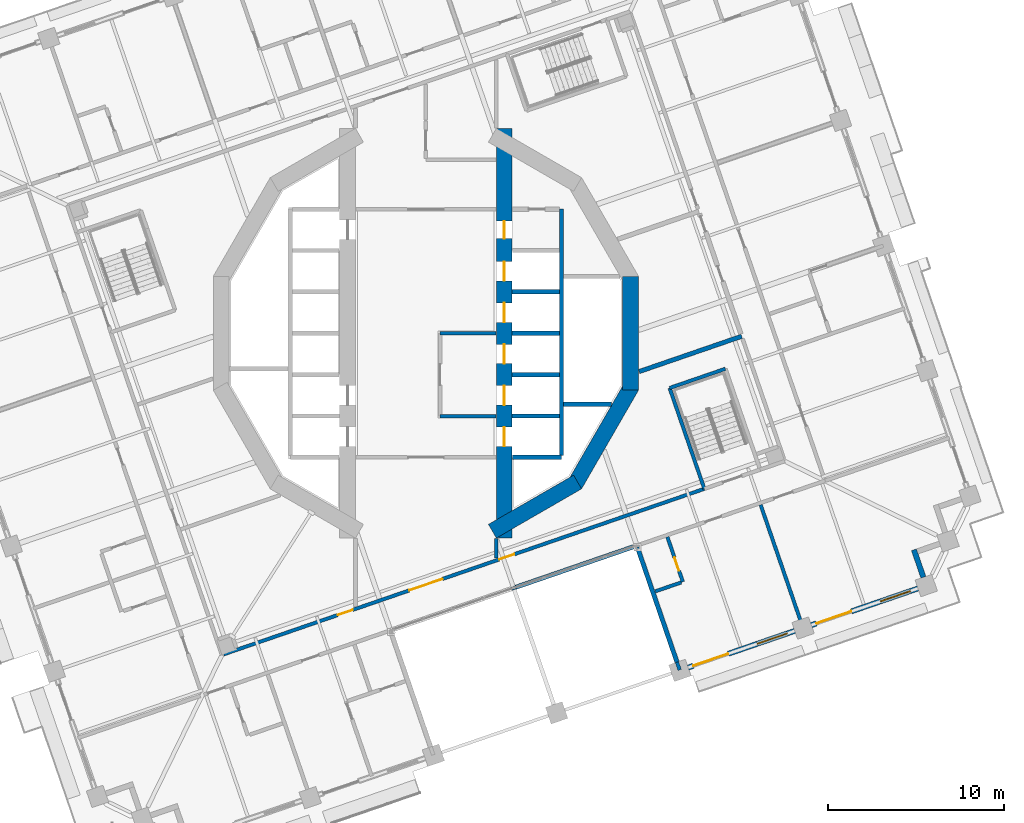
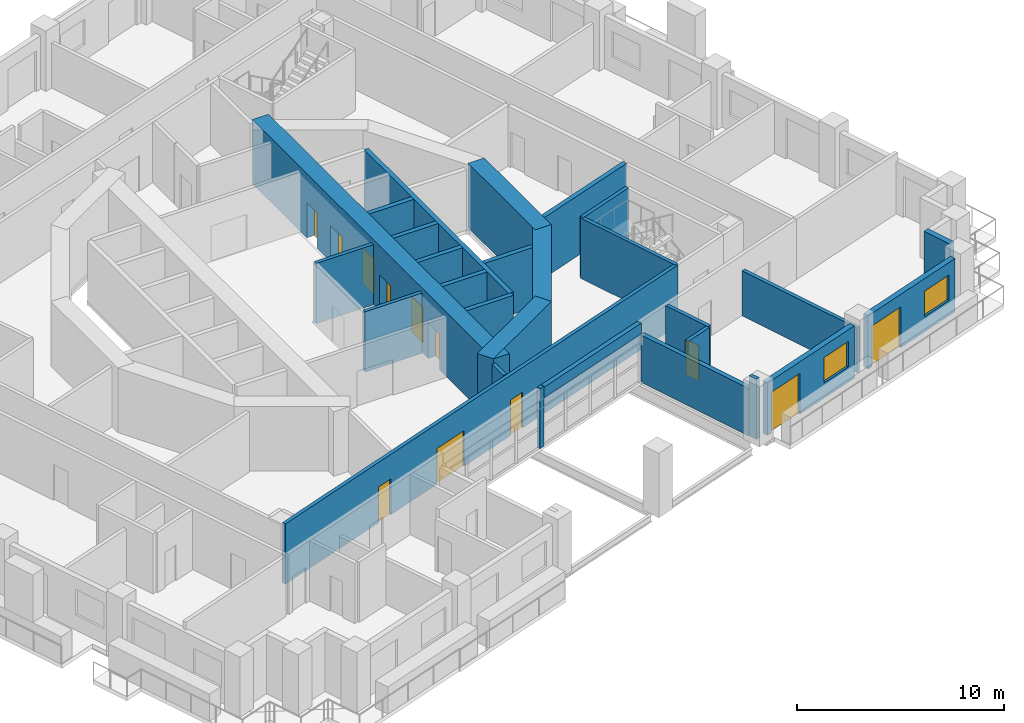
# One storey, part 10 of 22: 28 walls, 12 doors, 2 windows, 14 openings.
"""IFC4 building model written with IfcOpenShell, lengths in metres."""

from ifc_helpers import new_model, si_unit, direction, frame, frame_2d, origin, place, context, subcontext, project, spatial, rectangle, extrude, material, layer, layer_set, type_object, element, fill, save


model = new_model("IFC4")

# Units and contexts
model_context = context("Model", 3, precision=1e-05, world=origin(), true_north=direction((0.0, 1.0)))
body_context = subcontext(model_context, "Body", "Model", "MODEL_VIEW")
ifc_project = project(units=[si_unit("LENGTHUNIT", "METRE"), si_unit("AREAUNIT", "SQUARE_METRE"), si_unit("VOLUMEUNIT", "CUBIC_METRE"), si_unit("PLANEANGLEUNIT", "RADIAN"), si_unit("MASSUNIT", "GRAM", prefix="KILO")], contexts=[model_context])

# Site, building, storey
site_placement = place(None, origin())
site = spatial("IfcSite", under=ifc_project, at=site_placement, CompositionType="ELEMENT")
building_placement = place(site_placement, origin())
building = spatial("IfcBuilding", under=site, at=building_placement, Name="Cantera Rosa Tower", CompositionType="ELEMENT")
storey_placement = place(building_placement, frame((0.0, 0.0, 104.10009765625)))
storey = spatial("IfcBuildingStorey", under=building, at=storey_placement, Name="L20", CompositionType="ELEMENT", Elevation=104.10009765625)

# Wall
ifc_material_1 = material(Name="Gypsum board partition")
ifc_layer_1 = layer(ifc_material_1, 0.199951171875)
ifc_layer_set_1 = layer_set([ifc_layer_1], Name="CORRIDOR WALL 200 H3550")
wall_type_1 = type_object("IfcWallType", Name="CORRIDOR WALL 200 H3550", PredefinedType="PARTITIONING", material=ifc_layer_set_1)
wall_1_placement = place(storey_placement, frame((4.8544921875, -14.510009765625, 0.0), z_axis=(0.0, 0.0, 1.0), x_axis=(0.945634074283, 0.325232528438, 0.0)))
element("IfcWall", 1, at=wall_1_placement, inside=storey, type_object=wall_type_1, Name="CORRIDOR WALL L20-021", PredefinedType="PARTITIONING", context=body_context, shape_type="SweptSolid", body=[
    extrude(rectangle(XDim=0.26806640625, YDim=0.199951171875, at=frame_2d((0.134033203125, 0.0))), origin(), (0.0, 0.0, 1.0), 3.5498046875),
])

# Wall, openings, doors
wall_2_placement = place(storey_placement, frame((-11.489501953125, -18.23388671875, 0.0), z_axis=(0.0, 0.0, 1.0), x_axis=(0.945519622926, 0.325565112782, 0.0)))
wall_2 = element("IfcWall", 2, at=wall_2_placement, inside=storey, type_object=wall_type_1, Name="CORRIDOR WALL L20-025", PredefinedType="PARTITIONING", context=body_context, shape_type="SweptSolid", body=[
    extrude(rectangle(XDim=28.873291015625, YDim=0.199951171875, at=frame_2d((14.4365234375, 0.0))), origin(), (0.0, 0.0, 1.0), 3.5498046875),
])
opening_1_placement = place(wall_2_placement, frame((6.850830078125, 0.0, 0.0)))
opening_1 = element("IfcOpeningElement", 3, at=opening_1_placement, cuts=wall_2, Name="Opening L20-007", PredefinedType="OPENING", context=body_context, shape_type="SweptSolid", body=[
    extrude(rectangle(XDim=0.89990234375, YDim=2.10009765625, at=frame_2d((0.449951171875, 1.050048828125))), frame((0.0, 0.10986328125, 0.0), z_axis=(0.0, -1.0, 0.0), x_axis=(1.0, 0.0, 0.0)), (0.0, 0.0, 1.0), 0.219970703125),
])
opening_2_placement = place(wall_2_placement, frame((16.556640625, 0.0, 0.0)))
opening_2 = element("IfcOpeningElement", 4, at=opening_2_placement, cuts=wall_2, Name="Opening L20-008", PredefinedType="OPENING", context=body_context, shape_type="SweptSolid", body=[
    extrude(rectangle(XDim=0.89990234375, YDim=2.10009765625, at=frame_2d((0.449951171875, 1.050048828125))), frame((0.0, 0.10986328125, 0.0), z_axis=(0.0, -1.0, 0.0), x_axis=(1.0, 0.0, 0.0)), (0.0, 0.0, 1.0), 0.219970703125),
])
opening_3_placement = place(wall_2_placement, frame((11.151611328125, 0.0, 0.0)))
opening_3 = element("IfcOpeningElement", 5, at=opening_3_placement, cuts=wall_2, Name="Opening L20-012", PredefinedType="OPENING", context=body_context, shape_type="SweptSolid", body=[
    extrude(rectangle(XDim=2.0, YDim=2.10009765625, at=frame_2d((1.0, 1.050048828125))), frame((0.0, 0.10986328125, 0.0), z_axis=(0.0, -1.0, 0.0), x_axis=(1.0, 0.0, 0.0)), (0.0, 0.0, 1.0), 0.219970703125),
])
ifc_material_2 = material(Name="Steel S355J2 (EN 10025-2)", Category="steel")
door_type_1 = type_object("IfcDoorType", Name="LOBBY SCREEN DOOR 2000x2100", OperationType="NOTDEFINED", PredefinedType="DOOR", material=ifc_material_2)
door_1_placement = place(opening_3_placement, origin())
door_1 = element("IfcDoor", 6, at=door_1_placement, inside=storey, type_object=door_type_1, Name="DOOR L20-012", OperationType="NOTDEFINED", OverallHeight=2.10009765625, OverallWidth=2.0, PredefinedType="DOOR", context=body_context, shape_type="SweptSolid", body=[
    extrude(rectangle(XDim=2.0, YDim=2.10009765625, at=frame_2d((1.0, 1.050048828125))), frame((0.0, 0.02490234375, 0.0), z_axis=(0.0, -1.0, 0.0), x_axis=(1.0, 0.0, 0.0)), (0.0, 0.0, 1.0), 0.050048828125),
])
fill(opening_3, door_1)
ifc_material_3 = material(Name="Timber door leaf", Category="wood")
door_type_2 = type_object("IfcDoorType", Name="SERVICE DOOR 900x2100", OperationType="NOTDEFINED", PredefinedType="DOOR", material=ifc_material_3)
door_2_placement = place(opening_1_placement, origin())
door_2 = element("IfcDoor", 7, at=door_2_placement, inside=storey, type_object=door_type_2, Name="DOOR L20-007", OperationType="NOTDEFINED", OverallHeight=2.10009765625, OverallWidth=0.89990234375, PredefinedType="DOOR", context=body_context, shape_type="SweptSolid", body=[
    extrude(rectangle(XDim=0.89990234375, YDim=2.10009765625, at=frame_2d((0.449951171875, 1.050048828125))), frame((0.0, 0.02490234375, 0.0), z_axis=(0.0, -1.0, 0.0), x_axis=(1.0, 0.0, 0.0)), (0.0, 0.0, 1.0), 0.050048828125),
])
fill(opening_1, door_2)
door_3_placement = place(opening_2_placement, origin())
door_3 = element("IfcDoor", 8, at=door_3_placement, inside=storey, type_object=door_type_2, Name="DOOR L20-008", OperationType="NOTDEFINED", OverallHeight=2.10009765625, OverallWidth=0.89990234375, PredefinedType="DOOR", context=body_context, shape_type="SweptSolid", body=[
    extrude(rectangle(XDim=0.89990234375, YDim=2.10009765625, at=frame_2d((0.449951171875, 1.050048828125))), frame((0.0, 0.02490234375, 0.0), z_axis=(0.0, -1.0, 0.0), x_axis=(1.0, 0.0, 0.0)), (0.0, 0.0, 1.0), 0.050048828125),
])
fill(opening_2, door_3)

# Walls
wall_3_placement = place(storey_placement, frame((4.0, -12.760498046875, 0.0), z_axis=(0.0, 0.0, 1.0), x_axis=(0.0, 1.0, 0.0)))
element("IfcWall", 9, at=wall_3_placement, inside=storey, type_object=wall_type_1, Name="CORRIDOR WALL L20-062", PredefinedType="PARTITIONING", context=body_context, shape_type="SweptSolid", body=[
    extrude(rectangle(XDim=1.09326171875, YDim=0.199951171875, at=frame_2d((0.546630859375, 0.0))), origin(), (0.0, 0.0, 1.0), 3.5498046875),
])
ifc_material_4 = material(Name="Hollow clay masonry with cantera stone cladding", Category="masonry")
ifc_layer_2 = layer(ifc_material_4, 0.300048828125)
ifc_layer_set_2 = layer_set([ifc_layer_2], Name="EW-LOGGIA 300")
wall_type_2 = type_object("IfcWallType", Name="EW-LOGGIA 300", PredefinedType="SOLIDWALL", material=ifc_layer_set_2)
wall_4_placement = place(storey_placement, frame((28.250732421875, -13.857421875, 0.0), z_axis=(0.0, 0.0, 1.0), x_axis=(-0.325666906351, 0.945484566827, 0.0)))
element("IfcWall", 10, at=wall_4_placement, inside=storey, type_object=wall_type_2, Name="EN-L20-W29a", PredefinedType="SOLIDWALL", context=body_context, shape_type="SweptSolid", body=[
    extrude(rectangle(XDim=1.64990234375, YDim=0.300048828125, at=frame_2d((0.824951171875, 0.0))), origin(), (0.0, 0.0, 1.0), 3.5),
])

# Wall, openings, window, door
ifc_material_5 = material(Name="Hollow clay masonry with cantera stone cladding", Category="masonry")
ifc_layer_3 = layer(ifc_material_5, 0.300048828125)
ifc_layer_set_3 = layer_set([ifc_layer_3], Name="EW-LOGGIA 300 H3090")
wall_type_3 = type_object("IfcWallType", Name="EW-LOGGIA 300 H3090", PredefinedType="SOLIDWALL", material=ifc_layer_set_3)
wall_5_placement = place(storey_placement, frame((14.892578125, -18.98583984375, 0.0), z_axis=(0.0, 0.0, 1.0), x_axis=(0.945512753621, 0.325585062219, 0.0)))
wall_5 = element("IfcWall", 11, at=wall_5_placement, inside=storey, type_object=wall_type_3, Name="EN-L20-W27", PredefinedType="SOLIDWALL", context=body_context, shape_type="SweptSolid", body=[
    extrude(rectangle(XDim=6.39990234375, YDim=0.300048828125, at=frame_2d((3.199951171875, 0.0))), origin(), (0.0, 0.0, 1.0), 3.08984375),
])
opening_4_placement = place(wall_5_placement, frame((0.300048828125, 0.0, 0.0)))
opening_4 = element("IfcOpeningElement", 12, at=opening_4_placement, cuts=wall_5, Name="Opening L20-TD37", PredefinedType="OPENING", context=body_context, shape_type="SweptSolid", body=[
    extrude(rectangle(XDim=2.10009765625, YDim=2.39990234375, at=frame_2d((1.050048828125, 1.199951171875))), frame((0.0, 0.159912109375, 0.0), z_axis=(0.0, -1.0, 0.0), x_axis=(1.0, 0.0, 0.0)), (0.0, 0.0, 1.0), 0.320068359375),
])
opening_5_placement = place(wall_5_placement, frame((4.14990234375, 0.0, 0.89990234375)))
opening_5 = element("IfcOpeningElement", 13, at=opening_5_placement, cuts=wall_5, Name="Opening L20-W38", PredefinedType="OPENING", context=body_context, shape_type="SweptSolid", body=[
    extrude(rectangle(XDim=1.800048828125, YDim=1.5, at=frame_2d((0.89990234375, 0.75))), frame((0.0, 0.159912109375, 0.0), z_axis=(0.0, -1.0, 0.0), x_axis=(1.0, 0.0, 0.0)), (0.0, 0.0, 1.0), 0.320068359375),
])
ifc_material_6 = material(Name="Aluminium frame with clear glass", Category="aluminium")
window_type = type_object("IfcWindowType", Name="Hotel room window 1800x1500", PartitioningType="DOUBLE_PANEL_VERTICAL", PredefinedType="WINDOW", material=ifc_material_6)
window_1_placement = place(opening_5_placement, origin())
window_1 = element("IfcWindow", 14, at=window_1_placement, inside=storey, type_object=window_type, Name="WINDOW L20-W38", OverallHeight=1.5, OverallWidth=1.800048828125, PartitioningType="SINGLE_PANEL", PredefinedType="WINDOW", context=body_context, shape_type="SweptSolid", body=[
    extrude(rectangle(XDim=1.800048828125, YDim=1.5, at=frame_2d((0.89990234375, 0.75))), frame((0.0, 0.030029296875, 0.0), z_axis=(0.0, -1.0, 0.0), x_axis=(1.0, 0.0, 0.0)), (0.0, 0.0, 1.0), 0.06005859375),
])
fill(opening_5, window_1)
ifc_material_7 = material(Name="Aluminium frame with clear glass", Category="aluminium")
door_type_3 = type_object("IfcDoorType", Name="TD-H 2100x2400", OperationType="NOTDEFINED", PredefinedType="DOOR", material=ifc_material_7)
door_4_placement = place(opening_4_placement, origin())
door_4 = element("IfcDoor", 15, at=door_4_placement, inside=storey, type_object=door_type_3, Name="LOGGIA DOOR L20-TD37", OperationType="SLIDING_TO_LEFT", OverallHeight=2.39990234375, OverallWidth=2.10009765625, PredefinedType="DOOR", context=body_context, shape_type="SweptSolid", body=[
    extrude(rectangle(XDim=2.10009765625, YDim=2.39990234375, at=frame_2d((1.050048828125, 1.199951171875))), frame((0.0, 0.02490234375, 0.0), z_axis=(0.0, -1.0, 0.0), x_axis=(1.0, 0.0, 0.0)), (0.0, 0.0, 1.0), 0.050048828125),
])
fill(opening_4, door_4)

ifc_material_8 = material(Name="Hollow clay masonry with cantera stone cladding", Category="masonry")
ifc_layer_4 = layer(ifc_material_8, 0.300048828125)
ifc_layer_set_4 = layer_set([ifc_layer_4], Name="EW-LOGGIA 300 H3140")
wall_type_4 = type_object("IfcWallType", Name="EW-LOGGIA 300 H3140", PredefinedType="SOLIDWALL", material=ifc_layer_set_4)
wall_6_placement = place(storey_placement, frame((21.889404296875, -16.57666015625, 0.0), z_axis=(0.0, 0.0, 1.0), x_axis=(0.945512753621, 0.325585062219, 0.0)))
wall_6 = element("IfcWall", 16, at=wall_6_placement, inside=storey, type_object=wall_type_4, Name="EN-L20-W28", PredefinedType="SOLIDWALL", context=body_context, shape_type="SweptSolid", body=[
    extrude(rectangle(XDim=6.39990234375, YDim=0.300048828125, at=frame_2d((3.199951171875, 0.0))), origin(), (0.0, 0.0, 1.0), 3.139892578125),
])
opening_6_placement = place(wall_6_placement, frame((0.300048828125, 0.0, 0.0)))
opening_6 = element("IfcOpeningElement", 17, at=opening_6_placement, cuts=wall_6, Name="Opening L20-TD39", PredefinedType="OPENING", context=body_context, shape_type="SweptSolid", body=[
    extrude(rectangle(XDim=2.10009765625, YDim=2.39990234375, at=frame_2d((1.050048828125, 1.199951171875))), frame((0.0, 0.159912109375, 0.0), z_axis=(0.0, -1.0, 0.0), x_axis=(1.0, 0.0, 0.0)), (0.0, 0.0, 1.0), 0.320068359375),
])
opening_7_placement = place(wall_6_placement, frame((4.14990234375, 0.0, 0.89990234375)))
opening_7 = element("IfcOpeningElement", 18, at=opening_7_placement, cuts=wall_6, Name="Opening L20-W40", PredefinedType="OPENING", context=body_context, shape_type="SweptSolid", body=[
    extrude(rectangle(XDim=1.800048828125, YDim=1.5, at=frame_2d((0.89990234375, 0.75))), frame((0.0, 0.159912109375, 0.0), z_axis=(0.0, -1.0, 0.0), x_axis=(1.0, 0.0, 0.0)), (0.0, 0.0, 1.0), 0.320068359375),
])
window_2_placement = place(opening_7_placement, origin())
window_2 = element("IfcWindow", 19, at=window_2_placement, inside=storey, type_object=window_type, Name="WINDOW L20-W40", OverallHeight=1.5, OverallWidth=1.800048828125, PartitioningType="SINGLE_PANEL", PredefinedType="WINDOW", context=body_context, shape_type="SweptSolid", body=[
    extrude(rectangle(XDim=1.800048828125, YDim=1.5, at=frame_2d((0.89990234375, 0.75))), frame((0.0, 0.030029296875, 0.0), z_axis=(0.0, -1.0, 0.0), x_axis=(1.0, 0.0, 0.0)), (0.0, 0.0, 1.0), 0.06005859375),
])
fill(opening_7, window_2)
door_5_placement = place(opening_6_placement, origin())
door_5 = element("IfcDoor", 20, at=door_5_placement, inside=storey, type_object=door_type_3, Name="LOGGIA DOOR L20-TD39", OperationType="SLIDING_TO_LEFT", OverallHeight=2.39990234375, OverallWidth=2.10009765625, PredefinedType="DOOR", context=body_context, shape_type="SweptSolid", body=[
    extrude(rectangle(XDim=2.10009765625, YDim=2.39990234375, at=frame_2d((1.050048828125, 1.199951171875))), frame((0.0, 0.02490234375, 0.0), z_axis=(0.0, -1.0, 0.0), x_axis=(1.0, 0.0, 0.0)), (0.0, 0.0, 1.0), 0.050048828125),
])
fill(opening_6, door_5)

# Walls
ifc_material_9 = material(Name="Concrete C40/50", Category="concrete")
ifc_layer_5 = layer(ifc_material_9, 0.25)
ifc_layer_set_5 = layer_set([ifc_layer_5], Name="EW-POCKET CHEEK 250 H2795")
wall_type_5 = type_object("IfcWallType", Name="EW-POCKET CHEEK 250 H2795", PredefinedType="SOLIDWALL", material=ifc_layer_set_5)
wall_7_placement = place(storey_placement, frame((14.257080078125, -18.67578125, 0.0), z_axis=(0.0, 0.0, 1.0), x_axis=(-0.325595912607, 0.945509017246, 0.0)))
element("IfcWall", 21, at=wall_7_placement, inside=storey, type_object=wall_type_5, Name="POCKET CHEEK B L20", PredefinedType="SOLIDWALL", context=body_context, shape_type="SweptSolid", body=[
    extrude(rectangle(XDim=6.89990234375, YDim=0.25, at=frame_2d((3.449951171875, 0.0))), origin(), (0.0, 0.0, 1.0), 2.794921875),
])
ifc_material_10 = material(Name="Hollow clay masonry with cantera stone cladding", Category="masonry")
ifc_layer_6 = layer(ifc_material_10, 0.25)
ifc_layer_set_6 = layer_set([ifc_layer_6], Name="EW-POCKET REAR 250")
wall_type_6 = type_object("IfcWallType", Name="EW-POCKET REAR 250", PredefinedType="SOLIDWALL", material=ifc_layer_set_6)
wall_8_placement = place(storey_placement, frame((5.10791015625, -14.4228515625, 2.867919921875), z_axis=(0.0, 0.0, 1.0), x_axis=(0.945515675847, 0.325576575828, 0.0)))
element("IfcWall", 22, at=wall_8_placement, inside=storey, type_object=wall_type_6, Name="POCKET SPANDREL L20-2", PredefinedType="SOLIDWALL", context=body_context, shape_type="SweptSolid", body=[
    extrude(rectangle(XDim=7.14111328125, YDim=0.25, at=frame_2d((3.570556640625, 0.0))), origin(), (0.0, 0.0, 1.0), 0.632080078125),
])

# Wall, opening, door
ifc_material_11 = material(Name="Gypsum board partition")
ifc_layer_7 = layer(ifc_material_11, 0.199951171875)
ifc_layer_set_7 = layer_set([ifc_layer_7], Name="PARTITION 200 H3550")
wall_type_7 = type_object("IfcWallType", Name="PARTITION 200 H3550", PredefinedType="PARTITIONING", material=ifc_layer_set_7)
wall_9_placement = place(storey_placement, frame((13.71240234375, -11.56591796875, 0.0), z_axis=(0.0, 0.0, 1.0), x_axis=(0.325625589912, -0.945498797035, 0.0)))
wall_9 = element("IfcWall", 23, at=wall_9_placement, inside=storey, type_object=wall_type_7, Name="PARTITION L20-090", PredefinedType="PARTITIONING", context=body_context, shape_type="SweptSolid", body=[
    extrude(rectangle(XDim=2.699951171875, YDim=0.199951171875, at=frame_2d((1.35009765625, 0.0))), origin(), (0.0, 0.0, 1.0), 3.5498046875),
])
opening_8_placement = place(wall_9_placement, frame((1.236083984375, 0.0, 0.0)))
opening_8 = element("IfcOpeningElement", 24, at=opening_8_placement, cuts=wall_9, Name="Opening L20-045", PredefinedType="OPENING", context=body_context, shape_type="SweptSolid", body=[
    extrude(rectangle(XDim=0.800048828125, YDim=2.10009765625, at=frame_2d((0.39990234375, 1.050048828125))), frame((0.0, 0.10986328125, 0.0), z_axis=(0.0, -1.0, 0.0), x_axis=(1.0, 0.0, 0.0)), (0.0, 0.0, 1.0), 0.219970703125),
])
ifc_material_12 = material(Name="Timber door leaf", Category="wood")
door_type_4 = type_object("IfcDoorType", Name="BATHROOM DOOR 800x2100", OperationType="NOTDEFINED", PredefinedType="DOOR", material=ifc_material_12)
door_6_placement = place(opening_8_placement, origin())
door_6 = element("IfcDoor", 25, at=door_6_placement, inside=storey, type_object=door_type_4, Name="DOOR L20-045", OperationType="NOTDEFINED", OverallHeight=2.10009765625, OverallWidth=0.800048828125, PredefinedType="DOOR", context=body_context, shape_type="SweptSolid", body=[
    extrude(rectangle(XDim=0.800048828125, YDim=2.10009765625, at=frame_2d((0.39990234375, 1.050048828125))), frame((0.0, 0.02490234375, 0.0), z_axis=(0.0, -1.0, 0.0), x_axis=(1.0, 0.0, 0.0)), (0.0, 0.0, 1.0), 0.050048828125),
])
fill(opening_8, door_6)

# Walls
wall_10_placement = place(storey_placement, frame((14.409912109375, -19.120361328125, 0.0), z_axis=(0.0, 0.0, 1.0), x_axis=(-0.325094282218, 0.945681610094, 0.0)))
element("IfcWall", 26, at=wall_10_placement, inside=storey, type_object=wall_type_7, Name="PARTITION L20-092", PredefinedType="PARTITIONING", context=body_context, shape_type="SweptSolid", body=[
    extrude(rectangle(XDim=0.47021484375, YDim=0.199951171875, at=frame_2d((0.235107421875, 0.0))), origin(), (0.0, 0.0, 1.0), 3.5498046875),
])
wall_11_placement = place(storey_placement, frame((14.4970703125, -14.151123046875, 0.0), z_axis=(0.0, 0.0, 1.0), x_axis=(-0.945517118812, -0.325572385244, 0.0)))
element("IfcWall", 27, at=wall_11_placement, inside=storey, type_object=wall_type_7, Name="PARTITION L20-093", PredefinedType="PARTITIONING", context=body_context, shape_type="SweptSolid", body=[
    extrude(rectangle(XDim=1.56494140625, YDim=0.199951171875, at=frame_2d((0.782470703125, 0.0))), origin(), (0.0, 0.0, 1.0), 3.5498046875),
])
ifc_material_13 = material(Name="Gypsum board partition")
ifc_layer_8 = layer(ifc_material_13, 0.199951171875)
ifc_layer_set_8 = layer_set([ifc_layer_8], Name="PARTY WALL 200 H2650")
wall_type_8 = type_object("IfcWallType", Name="PARTY WALL 200 H2650", PredefinedType="PARTITIONING", material=ifc_layer_set_8)
wall_12_placement = place(storey_placement, frame((19.00732421875, -9.74267578125, 0.0), z_axis=(0.0, 0.0, 1.0), x_axis=(0.325603730276, -0.945506325114, 0.0)))
element("IfcWall", 28, at=wall_12_placement, inside=storey, type_object=wall_type_8, Name="PARTY WALL L20-103", PredefinedType="PARTITIONING", context=body_context, shape_type="SweptSolid", body=[
    extrude(rectangle(XDim=7.369873046875, YDim=0.199951171875, at=frame_2d((3.68505859375, 0.0))), origin(), (0.0, 0.0, 1.0), 2.64990234375),
])
ifc_material_14 = material(Name="Concrete C70/85", Category="concrete")
ifc_layer_9 = layer(ifc_material_14, 0.89990234375)
ifc_layer_set_9 = layer_set([ifc_layer_9], Name="RC CORE WALL 900 C70/85")
wall_type_9 = type_object("IfcWallType", Name="RC CORE WALL 900 C70/85", PredefinedType="SHEAR", material=ifc_layer_set_9)
wall_13_placement = place(storey_placement, frame((11.6240234375, 3.2353515625, 0.0), z_axis=(0.0, 0.0, 1.0), x_axis=(0.0, -1.0, 0.0)))
element("IfcWall", 29, at=wall_13_placement, inside=storey, type_object=wall_type_9, Name="CW-E3 L20", PredefinedType="SHEAR", context=body_context, shape_type="SweptSolid", body=[
    extrude(rectangle(XDim=6.470703125, YDim=0.89990234375, at=frame_2d((3.2353515625, 0.0))), origin(), (0.0, 0.0, 1.0), 3.7998046875),
])
wall_14_placement = place(storey_placement, frame((11.684326171875, -3.01025390625, 0.0), z_axis=(0.0, 0.0, 1.0), x_axis=(-0.499990282633, -0.866031014036, 0.0)))
element("IfcWall", 30, at=wall_14_placement, inside=storey, type_object=wall_type_9, Name="CW-E4 L20", PredefinedType="SHEAR", context=body_context, shape_type="SweptSolid", body=[
    extrude(rectangle(XDim=6.470458984375, YDim=0.89990234375, at=frame_2d((3.2353515625, 0.0))), origin(), (0.0, 0.0, 1.0), 3.7998046875),
])
wall_15_placement = place(storey_placement, frame((8.61376953125, -8.44921875, 0.0), z_axis=(0.0, 0.0, 1.0), x_axis=(-0.866026961591, -0.49999730179, 0.0)))
element("IfcWall", 31, at=wall_15_placement, inside=storey, type_object=wall_type_9, Name="CW-E5 L20", PredefinedType="SHEAR", context=body_context, shape_type="SweptSolid", body=[
    extrude(rectangle(XDim=5.58740234375, YDim=0.89990234375, at=frame_2d((2.793701171875, 0.0))), origin(), (0.0, 0.0, 1.0), 3.7998046875),
])

# Wall, openings, doors
wall_16_placement = place(storey_placement, frame((4.449951171875, -11.632568359375, 0.0), z_axis=(0.0, 0.0, 1.0), x_axis=(0.0, 1.0, 0.0)))
wall_16 = element("IfcWall", 32, at=wall_16_placement, inside=storey, type_object=wall_type_9, Name="CW-E6 L20", PredefinedType="SHEAR", context=body_context, shape_type="SweptSolid", body=[
    extrude(rectangle(XDim=23.26513671875, YDim=0.89990234375, at=frame_2d((11.632568359375, 0.0))), origin(), (0.0, 0.0, 1.0), 3.7998046875),
])
opening_9_placement = place(wall_16_placement, frame((7.5576171875, 0.0, 0.0)))
opening_9 = element("IfcOpeningElement", 33, at=opening_9_placement, cuts=wall_16, Name="Opening LD-FF1-L20", PredefinedType="OPENING", context=body_context, shape_type="SweptSolid", body=[
    extrude(rectangle(XDim=1.10009765625, YDim=2.10009765625, at=frame_2d((0.550048828125, 1.050048828125))), frame((0.0, 0.4599609375, 0.0), z_axis=(0.0, -1.0, 0.0), x_axis=(1.0, 0.0, 0.0)), (0.0, 0.0, 1.0), 0.919921875),
])
opening_10_placement = place(wall_16_placement, frame((9.907470703125, 0.0, 0.0)))
opening_10 = element("IfcOpeningElement", 34, at=opening_10_placement, cuts=wall_16, Name="Opening LD-FF2-L20", PredefinedType="OPENING", context=body_context, shape_type="SweptSolid", body=[
    extrude(rectangle(XDim=1.10009765625, YDim=2.10009765625, at=frame_2d((0.550048828125, 1.050048828125))), frame((0.0, 0.4599609375, 0.0), z_axis=(0.0, -1.0, 0.0), x_axis=(1.0, 0.0, 0.0)), (0.0, 0.0, 1.0), 0.919921875),
])
opening_11_placement = place(wall_16_placement, frame((12.257568359375, 0.0, 0.0)))
opening_11 = element("IfcOpeningElement", 35, at=opening_11_placement, cuts=wall_16, Name="Opening LD-P1-L20", PredefinedType="OPENING", context=body_context, shape_type="SweptSolid", body=[
    extrude(rectangle(XDim=1.10009765625, YDim=2.10009765625, at=frame_2d((0.550048828125, 1.050048828125))), frame((0.0, 0.4599609375, 0.0), z_axis=(0.0, -1.0, 0.0), x_axis=(1.0, 0.0, 0.0)), (0.0, 0.0, 1.0), 0.919921875),
])
opening_12_placement = place(wall_16_placement, frame((14.607421875, 0.0, 0.0)))
opening_12 = element("IfcOpeningElement", 36, at=opening_12_placement, cuts=wall_16, Name="Opening LD-P2-L20", PredefinedType="OPENING", context=body_context, shape_type="SweptSolid", body=[
    extrude(rectangle(XDim=1.10009765625, YDim=2.10009765625, at=frame_2d((0.550048828125, 1.050048828125))), frame((0.0, 0.4599609375, 0.0), z_axis=(0.0, -1.0, 0.0), x_axis=(1.0, 0.0, 0.0)), (0.0, 0.0, 1.0), 0.919921875),
])
opening_13_placement = place(wall_16_placement, frame((5.20751953125, 0.0, 0.0)))
opening_13 = element("IfcOpeningElement", 37, at=opening_13_placement, cuts=wall_16, Name="Opening LD-P6-L20", PredefinedType="OPENING", context=body_context, shape_type="SweptSolid", body=[
    extrude(rectangle(XDim=1.10009765625, YDim=2.10009765625, at=frame_2d((0.550048828125, 1.050048828125))), frame((0.0, 0.4599609375, 0.0), z_axis=(0.0, -1.0, 0.0), x_axis=(1.0, 0.0, 0.0)), (0.0, 0.0, 1.0), 0.919921875),
])
opening_14_placement = place(wall_16_placement, frame((17.007568359375, 0.0, 0.0)))
opening_14 = element("IfcOpeningElement", 38, at=opening_14_placement, cuts=wall_16, Name="Opening SD-L20-16", PredefinedType="OPENING", context=body_context, shape_type="SweptSolid", body=[
    extrude(rectangle(XDim=1.0, YDim=2.10009765625, at=frame_2d((0.5, 1.050048828125))), frame((0.0, 0.4599609375, 0.0), z_axis=(0.0, -1.0, 0.0), x_axis=(1.0, 0.0, 0.0)), (0.0, 0.0, 1.0), 0.919921875),
])
ifc_material_15 = material(Name="Steel S355J2 (EN 10025-2)", Category="steel")
door_type_5 = type_object("IfcDoorType", Name="LANDING DOOR 1100x2100", OperationType="NOTDEFINED", PredefinedType="DOOR", material=ifc_material_15)
door_7_placement = place(opening_9_placement, origin())
door_7 = element("IfcDoor", 39, at=door_7_placement, inside=storey, type_object=door_type_5, Name="LANDING DOOR FF1 L20", OperationType="SLIDING_TO_LEFT", OverallHeight=2.10009765625, OverallWidth=1.10009765625, PredefinedType="DOOR", context=body_context, shape_type="SweptSolid", body=[
    extrude(rectangle(XDim=1.10009765625, YDim=2.10009765625, at=frame_2d((0.550048828125, 1.050048828125))), frame((0.0, 0.02490234375, 0.0), z_axis=(0.0, -1.0, 0.0), x_axis=(1.0, 0.0, 0.0)), (0.0, 0.0, 1.0), 0.050048828125),
])
fill(opening_9, door_7)
door_8_placement = place(opening_10_placement, origin())
door_8 = element("IfcDoor", 40, at=door_8_placement, inside=storey, type_object=door_type_5, Name="LANDING DOOR FF2 L20", OperationType="SLIDING_TO_LEFT", OverallHeight=2.10009765625, OverallWidth=1.10009765625, PredefinedType="DOOR", context=body_context, shape_type="SweptSolid", body=[
    extrude(rectangle(XDim=1.10009765625, YDim=2.10009765625, at=frame_2d((0.550048828125, 1.050048828125))), frame((0.0, 0.02490234375, 0.0), z_axis=(0.0, -1.0, 0.0), x_axis=(1.0, 0.0, 0.0)), (0.0, 0.0, 1.0), 0.050048828125),
])
fill(opening_10, door_8)
door_9_placement = place(opening_11_placement, origin())
door_9 = element("IfcDoor", 41, at=door_9_placement, inside=storey, type_object=door_type_5, Name="LANDING DOOR P1 L20", OperationType="SLIDING_TO_LEFT", OverallHeight=2.10009765625, OverallWidth=1.10009765625, PredefinedType="DOOR", context=body_context, shape_type="SweptSolid", body=[
    extrude(rectangle(XDim=1.10009765625, YDim=2.10009765625, at=frame_2d((0.550048828125, 1.050048828125))), frame((0.0, 0.02490234375, 0.0), z_axis=(0.0, -1.0, 0.0), x_axis=(1.0, 0.0, 0.0)), (0.0, 0.0, 1.0), 0.050048828125),
])
fill(opening_11, door_9)
door_10_placement = place(opening_12_placement, origin())
door_10 = element("IfcDoor", 42, at=door_10_placement, inside=storey, type_object=door_type_5, Name="LANDING DOOR P2 L20", OperationType="SLIDING_TO_LEFT", OverallHeight=2.10009765625, OverallWidth=1.10009765625, PredefinedType="DOOR", context=body_context, shape_type="SweptSolid", body=[
    extrude(rectangle(XDim=1.10009765625, YDim=2.10009765625, at=frame_2d((0.550048828125, 1.050048828125))), frame((0.0, 0.02490234375, 0.0), z_axis=(0.0, -1.0, 0.0), x_axis=(1.0, 0.0, 0.0)), (0.0, 0.0, 1.0), 0.050048828125),
])
fill(opening_12, door_10)
door_11_placement = place(opening_13_placement, origin())
door_11 = element("IfcDoor", 43, at=door_11_placement, inside=storey, type_object=door_type_5, Name="LANDING DOOR P6 L20", OperationType="SLIDING_TO_LEFT", OverallHeight=2.10009765625, OverallWidth=1.10009765625, PredefinedType="DOOR", context=body_context, shape_type="SweptSolid", body=[
    extrude(rectangle(XDim=1.10009765625, YDim=2.10009765625, at=frame_2d((0.550048828125, 1.050048828125))), frame((0.0, 0.02490234375, 0.0), z_axis=(0.0, -1.0, 0.0), x_axis=(1.0, 0.0, 0.0)), (0.0, 0.0, 1.0), 0.050048828125),
])
fill(opening_13, door_11)
ifc_material_16 = material(Name="Timber door leaf", Category="wood")
door_type_6 = type_object("IfcDoorType", Name="SERVICE DOOR 1000x2100", OperationType="NOTDEFINED", PredefinedType="DOOR", material=ifc_material_16)
door_12_placement = place(opening_14_placement, origin())
door_12 = element("IfcDoor", 44, at=door_12_placement, inside=storey, type_object=door_type_6, Name="DOOR L20-SD16", OperationType="NOTDEFINED", OverallHeight=2.10009765625, OverallWidth=1.0, PredefinedType="DOOR", context=body_context, shape_type="SweptSolid", body=[
    extrude(rectangle(XDim=1.0, YDim=2.10009765625, at=frame_2d((0.5, 1.050048828125))), frame((0.0, 0.02490234375, 0.0), z_axis=(0.0, -1.0, 0.0), x_axis=(1.0, 0.0, 0.0)), (0.0, 0.0, 1.0), 0.050048828125),
])
fill(opening_14, door_12)

# Walls
ifc_material_17 = material(Name="Masonry blockwork", Category="masonry")
ifc_layer_10 = layer(ifc_material_17, 0.25)
ifc_layer_set_10 = layer_set([ifc_layer_10], Name="SHAFT WALL 250 H3550")
wall_type_10 = type_object("IfcWallType", Name="SHAFT WALL 250 H3550", PredefinedType="SOLIDWALL", material=ifc_layer_set_10)
for number, where, z_axis, x_axis, name in (
    (45, (4.89990234375, -4.699951171875, 0.0), (0.0, 0.0, 1.0), (1.0, 0.0, 0.0), "SHAFT WALL L20-067"),
    (46, (4.89990234375, 0.0, 0.0), (0.0, 0.0, 1.0), (1.0, 0.0, 0.0), "SHAFT WALL L20-068"),
):
    element("IfcWall", number, at=place(storey_placement, frame(where, z_axis=z_axis, x_axis=x_axis)), inside=storey, type_object=wall_type_10, Name=name, PredefinedType="SOLIDWALL", context=body_context, shape_type="SweptSolid", body=[
        extrude(rectangle(XDim=2.675048828125, YDim=0.25, at=frame_2d((1.33740234375, 0.0))), origin(), (0.0, 0.0, 1.0), 3.5498046875),
    ])
wall_17_placement = place(storey_placement, frame((4.929931640625, -7.050048828125, 0.0), z_axis=(0.0, 0.0, 1.0), x_axis=(1.0, 0.0, 0.0)))
element("IfcWall", 47, at=wall_17_placement, inside=storey, type_object=wall_type_10, Name="SHAFT WALL L20-069", PredefinedType="SOLIDWALL", context=body_context, shape_type="SweptSolid", body=[
    extrude(rectangle(XDim=2.77001953125, YDim=0.25, at=frame_2d((1.385009765625, 0.0))), origin(), (0.0, 0.0, 1.0), 3.5498046875),
])
wall_18_placement = place(storey_placement, frame((7.699951171875, -6.929931640625, 0.0), z_axis=(0.0, 0.0, 1.0), x_axis=(0.0, 1.0, 0.0)))
element("IfcWall", 48, at=wall_18_placement, inside=storey, type_object=wall_type_10, Name="SHAFT WALL L20-074", PredefinedType="SOLIDWALL", context=body_context, shape_type="SweptSolid", body=[
    extrude(rectangle(XDim=13.97998046875, YDim=0.25, at=frame_2d((6.989990234375, 0.0))), origin(), (0.0, 0.0, 1.0), 3.5498046875),
])
wall_19_placement = place(storey_placement, frame((7.824951171875, -4.029541015625, 0.0), z_axis=(0.0, 0.0, 1.0), x_axis=(1.0, 0.0, 0.0)))
element("IfcWall", 49, at=wall_19_placement, inside=storey, type_object=wall_type_10, Name="SHAFT WALL L20-075", PredefinedType="SOLIDWALL", context=body_context, shape_type="SweptSolid", body=[
    extrude(rectangle(XDim=2.716552734375, YDim=0.25, at=frame_2d((1.3583984375, 0.0))), origin(), (0.0, 0.0, 1.0), 3.5498046875),
])
for number, where, z_axis, x_axis, name in (
    (50, (7.574951171875, -2.35009765625, 0.0), (0.0, 0.0, 1.0), (-1.0, 0.0, 0.0), "SHAFT WALL L20-076"),
    (51, (7.574951171875, 2.35009765625, 0.0), (0.0, 0.0, 1.0), (-1.0, 0.0, 0.0), "SHAFT WALL L20-077"),
):
    element("IfcWall", number, at=place(storey_placement, frame(where, z_axis=z_axis, x_axis=x_axis)), inside=storey, type_object=wall_type_10, Name=name, PredefinedType="SOLIDWALL", context=body_context, shape_type="SweptSolid", body=[
        extrude(rectangle(XDim=2.675048828125, YDim=0.25, at=frame_2d((1.33740234375, 0.0))), origin(), (0.0, 0.0, 1.0), 3.5498046875),
    ])
wall_20_placement = place(storey_placement, frame((12.10400390625, -2.177978515625, 0.0), z_axis=(0.0, 0.0, 1.0), x_axis=(0.945512204671, 0.325586656388, 0.0)))
element("IfcWall", 52, at=wall_20_placement, inside=storey, type_object=wall_type_10, Name="SHAFT WALL L20-087", PredefinedType="SOLIDWALL", context=body_context, shape_type="SweptSolid", body=[
    extrude(rectangle(XDim=6.16455078125, YDim=0.25, at=frame_2d((3.082275390625, 0.0))), origin(), (0.0, 0.0, 1.0), 3.5498046875),
])
ifc_material_18 = material(Name="Concrete C50/60", Category="concrete")
ifc_layer_11 = layer(ifc_material_18, 0.199951171875)
ifc_layer_set_11 = layer_set([ifc_layer_11], Name="STAIR WALL 200 H3550")
wall_type_11 = type_object("IfcWallType", Name="STAIR WALL 200 H3550", PredefinedType="SOLIDWALL", material=ifc_layer_set_11)
for number, where, z_axis, x_axis, name in (
    (53, (0.800048828125, 0.0, 0.0), (0.0, 0.0, 1.0), (1.0, 0.0, 0.0), "STAIR WALL L20-058"),
    (54, (3.969970703125, -4.699951171875, 0.0), (0.0, 0.0, 1.0), (-1.0, 0.0, 0.0), "STAIR WALL L20-061"),
):
    element("IfcWall", number, at=place(storey_placement, frame(where, z_axis=z_axis, x_axis=x_axis)), inside=storey, type_object=wall_type_11, Name=name, PredefinedType="SOLIDWALL", context=body_context, shape_type="SweptSolid", body=[
        extrude(rectangle(XDim=3.169921875, YDim=0.199951171875, at=frame_2d((1.5849609375, 0.0))), origin(), (0.0, 0.0, 1.0), 3.5498046875),
    ])
wall_21_placement = place(storey_placement, frame((13.839599609375, -3.10888671875, 0.0), z_axis=(0.0, 0.0, 1.0), x_axis=(0.325563172411, -0.945520291041, 0.0)))
element("IfcWall", 55, at=wall_21_placement, inside=storey, type_object=wall_type_11, Name="STAIR WALL L20-091", PredefinedType="SOLIDWALL", context=body_context, shape_type="SweptSolid", body=[
    extrude(rectangle(XDim=6.0546875, YDim=0.199951171875, at=frame_2d((3.02734375, 0.0))), origin(), (0.0, 0.0, 1.0), 3.5498046875),
])
wall_22_placement = place(storey_placement, frame((17.007080078125, -2.01806640625, 0.0), z_axis=(0.0, 0.0, 1.0), x_axis=(-0.945503015732, -0.325613340087, 0.0)))
element("IfcWall", 56, at=wall_22_placement, inside=storey, type_object=wall_type_11, Name="STAIR WALL L20-100", PredefinedType="SOLIDWALL", context=body_context, shape_type="SweptSolid", body=[
    extrude(rectangle(XDim=3.35009765625, YDim=0.199951171875, at=frame_2d((1.675048828125, 0.0))), origin(), (0.0, 0.0, 1.0), 3.5498046875),
])

save(model, "model.ifc")
